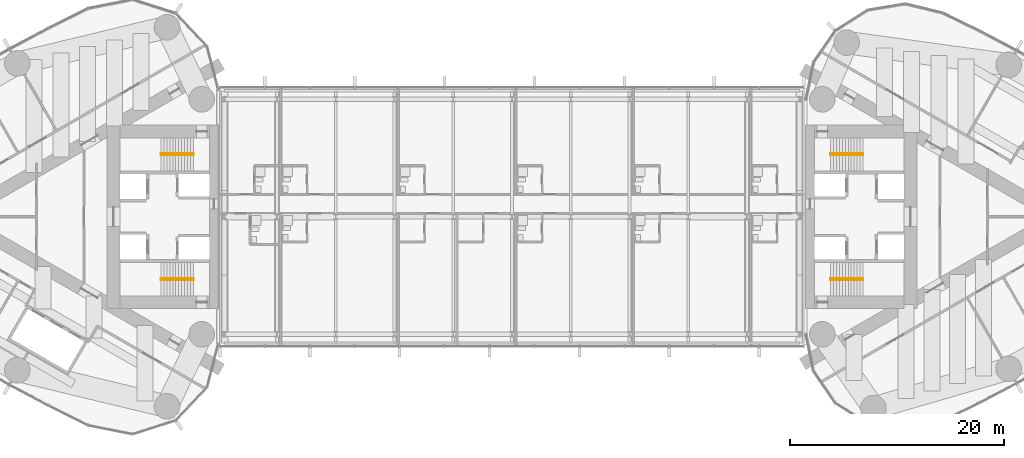
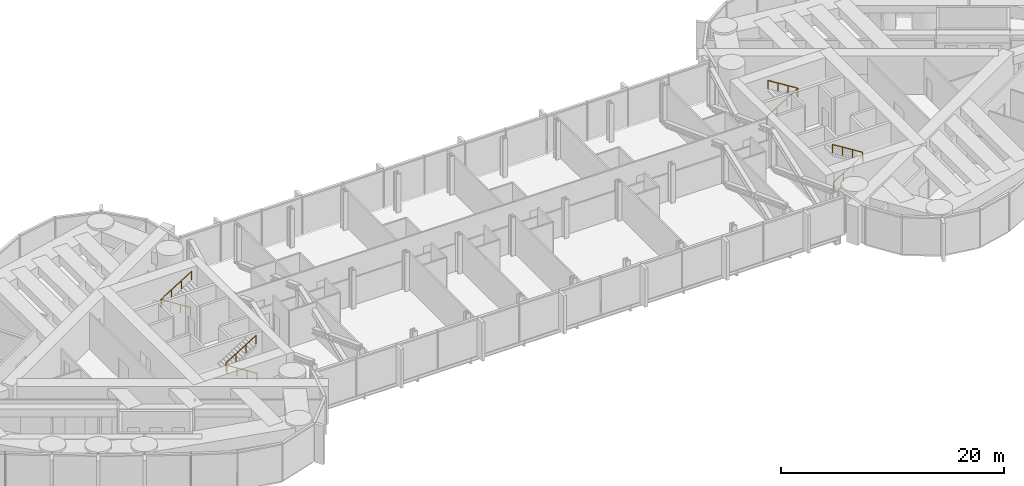
# One storey, part 22 of 23: 8 railings.
"""IFC4 building model written with IfcOpenShell, lengths in metres."""

from ifc_helpers import new_model, si_unit, direction, frame, origin, origin_2d, place, context, subcontext, project, spatial, circle, extrude, material, type_object, element, save


model = new_model("IFC4")

# Units and contexts
model_context = context("Model", 3, precision=1e-05, world=origin(), true_north=direction((0.0, 1.0)))
body_context = subcontext(model_context, "Body", "Model", "MODEL_VIEW")
ifc_project = project(units=[si_unit("LENGTHUNIT", "METRE"), si_unit("AREAUNIT", "SQUARE_METRE"), si_unit("VOLUMEUNIT", "CUBIC_METRE"), si_unit("PLANEANGLEUNIT", "RADIAN"), si_unit("MASSUNIT", "GRAM", prefix="KILO")], contexts=[model_context])

# Site, building, storey
site_placement = place(None, origin())
site = spatial("IfcSite", under=ifc_project, at=site_placement, CompositionType="ELEMENT")
building_placement = place(site_placement, origin())
building = spatial("IfcBuilding", under=site, at=building_placement, Name="Lancet Gate Hotel", CompositionType="ELEMENT")
storey_placement = place(building_placement, frame((0.0, 0.0, 247.699951171875)))
storey = spatial("IfcBuildingStorey", under=building, at=storey_placement, Name="L66", CompositionType="ELEMENT", Elevation=247.699951171875)

# Railings
ifc_material = material(Name="Stainless steel handrail", Category="steel")
railing_type = type_object("IfcRailingType", Name="Stair handrail 900", PredefinedType="HANDRAIL", material=ifc_material)
railing_1_placement = place(storey_placement, frame((-29.800048828125, 5.929931640625, 0.175048828125)))
element("IfcRailing", 1, at=railing_1_placement, inside=storey, type_object=railing_type, Name="ST1 handrail flight 1 L66", PredefinedType="HANDRAIL", context=body_context, shape_type="SweptSolid", body=[
    extrude(circle(Radius=0.02392578125, at=origin_2d()), frame((0.0, 0.0, 0.8759765625), z_axis=(-0.847979421464, 0.0, 0.530029150871), x_axis=(0.0, -1.0, 0.0)), (0.0, 0.0, 1.0), 3.632080078125),
    extrude(circle(Radius=0.02099609375, at=origin_2d()), origin(), (0.0, 0.0, 1.0), 0.851806640625),
    extrude(circle(Radius=0.02099609375, at=origin_2d()), frame((-1.026611328125, 0.0, 0.6416015625)), (0.0, 0.0, 1.0), 0.851806640625),
    extrude(circle(Radius=0.02099609375, at=origin_2d()), frame((-2.05322265625, 0.0, 1.283447265625)), (0.0, 0.0, 1.0), 0.851806640625),
    extrude(circle(Radius=0.02099609375, at=origin_2d()), frame((-3.079833984375, 0.0, 1.925048828125)), (0.0, 0.0, 1.0), 0.851806640625),
])
railing_2_placement = place(storey_placement, frame((-32.8798828125, 5.77001953125, 2.275146484375)))
element("IfcRailing", 2, at=railing_2_placement, inside=storey, type_object=railing_type, Name="ST1 handrail flight 2 L66", PredefinedType="HANDRAIL", context=body_context, shape_type="SweptSolid", body=[
    extrude(circle(Radius=0.02392578125, at=origin_2d()), frame((0.0, 0.0, 0.8759765625), z_axis=(0.848009633417, 0.0, 0.529980812513), x_axis=(0.0, 1.0, 0.0)), (0.0, 0.0, 1.0), 3.6318359375),
    extrude(circle(Radius=0.02099609375, at=origin_2d()), origin(), (0.0, 0.0, 1.0), 0.851806640625),
    extrude(circle(Radius=0.02099609375, at=origin_2d()), frame((1.026611328125, 0.0, 0.6416015625)), (0.0, 0.0, 1.0), 0.851806640625),
    extrude(circle(Radius=0.02099609375, at=origin_2d()), frame((2.05322265625, 0.0, 1.283203125)), (0.0, 0.0, 1.0), 0.851806640625),
    extrude(circle(Radius=0.02099609375, at=origin_2d()), frame((3.079833984375, 0.0, 1.9248046875)), (0.0, 0.0, 1.0), 0.851806640625),
])
railing_3_placement = place(storey_placement, frame((-29.800048828125, -5.929931640625, 0.175048828125)))
element("IfcRailing", 3, at=railing_3_placement, inside=storey, type_object=railing_type, Name="ST2 handrail flight 1 L66", PredefinedType="HANDRAIL", context=body_context, shape_type="SweptSolid", body=[
    extrude(circle(Radius=0.02392578125, at=origin_2d()), frame((0.0, 0.0, 0.8759765625), z_axis=(-0.847979421464, 0.0, 0.530029150871), x_axis=(0.0, -1.0, 0.0)), (0.0, 0.0, 1.0), 3.632080078125),
    extrude(circle(Radius=0.02099609375, at=origin_2d()), origin(), (0.0, 0.0, 1.0), 0.851806640625),
    extrude(circle(Radius=0.02099609375, at=origin_2d()), frame((-1.026611328125, 0.0, 0.6416015625)), (0.0, 0.0, 1.0), 0.851806640625),
    extrude(circle(Radius=0.02099609375, at=origin_2d()), frame((-2.05322265625, 0.0, 1.283447265625)), (0.0, 0.0, 1.0), 0.851806640625),
    extrude(circle(Radius=0.02099609375, at=origin_2d()), frame((-3.079833984375, 0.0, 1.925048828125)), (0.0, 0.0, 1.0), 0.851806640625),
])
railing_4_placement = place(storey_placement, frame((-32.8798828125, -5.77001953125, 2.275146484375)))
element("IfcRailing", 4, at=railing_4_placement, inside=storey, type_object=railing_type, Name="ST2 handrail flight 2 L66", PredefinedType="HANDRAIL", context=body_context, shape_type="SweptSolid", body=[
    extrude(circle(Radius=0.02392578125, at=origin_2d()), frame((0.0, 0.0, 0.8759765625), z_axis=(0.848009633417, 0.0, 0.529980812513), x_axis=(0.0, 1.0, 0.0)), (0.0, 0.0, 1.0), 3.6318359375),
    extrude(circle(Radius=0.02099609375, at=origin_2d()), origin(), (0.0, 0.0, 1.0), 0.851806640625),
    extrude(circle(Radius=0.02099609375, at=origin_2d()), frame((1.026611328125, 0.0, 0.6416015625)), (0.0, 0.0, 1.0), 0.851806640625),
    extrude(circle(Radius=0.02099609375, at=origin_2d()), frame((2.05322265625, 0.0, 1.283203125)), (0.0, 0.0, 1.0), 0.851806640625),
    extrude(circle(Radius=0.02099609375, at=origin_2d()), frame((3.079833984375, 0.0, 1.9248046875)), (0.0, 0.0, 1.0), 0.851806640625),
])
railing_5_placement = place(storey_placement, frame((29.800048828125, -5.929931640625, 0.175048828125)))
element("IfcRailing", 5, at=railing_5_placement, inside=storey, type_object=railing_type, Name="ST3 handrail flight 1 L66", PredefinedType="HANDRAIL", context=body_context, shape_type="SweptSolid", body=[
    extrude(circle(Radius=0.02392578125, at=origin_2d()), frame((0.0, 0.0, 0.8759765625), z_axis=(0.847979421464, 0.0, 0.530029150871), x_axis=(0.0, 1.0, 0.0)), (0.0, 0.0, 1.0), 3.632080078125),
    extrude(circle(Radius=0.02099609375, at=origin_2d()), origin(), (0.0, 0.0, 1.0), 0.851806640625),
    extrude(circle(Radius=0.02099609375, at=origin_2d()), frame((1.026611328125, 0.0, 0.6416015625)), (0.0, 0.0, 1.0), 0.851806640625),
    extrude(circle(Radius=0.02099609375, at=origin_2d()), frame((2.05322265625, 0.0, 1.283447265625)), (0.0, 0.0, 1.0), 0.851806640625),
    extrude(circle(Radius=0.02099609375, at=origin_2d()), frame((3.079833984375, 0.0, 1.925048828125)), (0.0, 0.0, 1.0), 0.851806640625),
])
railing_6_placement = place(storey_placement, frame((32.8798828125, -5.77001953125, 2.275146484375)))
element("IfcRailing", 6, at=railing_6_placement, inside=storey, type_object=railing_type, Name="ST3 handrail flight 2 L66", PredefinedType="HANDRAIL", context=body_context, shape_type="SweptSolid", body=[
    extrude(circle(Radius=0.02392578125, at=origin_2d()), frame((0.0, 0.0, 0.8759765625), z_axis=(-0.848009633417, 0.0, 0.529980812513), x_axis=(0.0, -1.0, 0.0)), (0.0, 0.0, 1.0), 3.6318359375),
    extrude(circle(Radius=0.02099609375, at=origin_2d()), origin(), (0.0, 0.0, 1.0), 0.851806640625),
    extrude(circle(Radius=0.02099609375, at=origin_2d()), frame((-1.026611328125, 0.0, 0.6416015625)), (0.0, 0.0, 1.0), 0.851806640625),
    extrude(circle(Radius=0.02099609375, at=origin_2d()), frame((-2.05322265625, 0.0, 1.283203125)), (0.0, 0.0, 1.0), 0.851806640625),
    extrude(circle(Radius=0.02099609375, at=origin_2d()), frame((-3.079833984375, 0.0, 1.9248046875)), (0.0, 0.0, 1.0), 0.851806640625),
])
railing_7_placement = place(storey_placement, frame((29.800048828125, 5.929931640625, 0.175048828125)))
element("IfcRailing", 7, at=railing_7_placement, inside=storey, type_object=railing_type, Name="ST4 handrail flight 1 L66", PredefinedType="HANDRAIL", context=body_context, shape_type="SweptSolid", body=[
    extrude(circle(Radius=0.02392578125, at=origin_2d()), frame((0.0, 0.0, 0.8759765625), z_axis=(0.847979421464, 0.0, 0.530029150871), x_axis=(0.0, 1.0, 0.0)), (0.0, 0.0, 1.0), 3.632080078125),
    extrude(circle(Radius=0.02099609375, at=origin_2d()), origin(), (0.0, 0.0, 1.0), 0.851806640625),
    extrude(circle(Radius=0.02099609375, at=origin_2d()), frame((1.026611328125, 0.0, 0.6416015625)), (0.0, 0.0, 1.0), 0.851806640625),
    extrude(circle(Radius=0.02099609375, at=origin_2d()), frame((2.05322265625, 0.0, 1.283447265625)), (0.0, 0.0, 1.0), 0.851806640625),
    extrude(circle(Radius=0.02099609375, at=origin_2d()), frame((3.079833984375, 0.0, 1.925048828125)), (0.0, 0.0, 1.0), 0.851806640625),
])
railing_8_placement = place(storey_placement, frame((32.8798828125, 5.77001953125, 2.275146484375)))
element("IfcRailing", 8, at=railing_8_placement, inside=storey, type_object=railing_type, Name="ST4 handrail flight 2 L66", PredefinedType="HANDRAIL", context=body_context, shape_type="SweptSolid", body=[
    extrude(circle(Radius=0.02392578125, at=origin_2d()), frame((0.0, 0.0, 0.8759765625), z_axis=(-0.848009633417, 0.0, 0.529980812513), x_axis=(0.0, -1.0, 0.0)), (0.0, 0.0, 1.0), 3.6318359375),
    extrude(circle(Radius=0.02099609375, at=origin_2d()), origin(), (0.0, 0.0, 1.0), 0.851806640625),
    extrude(circle(Radius=0.02099609375, at=origin_2d()), frame((-1.026611328125, 0.0, 0.6416015625)), (0.0, 0.0, 1.0), 0.851806640625),
    extrude(circle(Radius=0.02099609375, at=origin_2d()), frame((-2.05322265625, 0.0, 1.283203125)), (0.0, 0.0, 1.0), 0.851806640625),
    extrude(circle(Radius=0.02099609375, at=origin_2d()), frame((-3.079833984375, 0.0, 1.9248046875)), (0.0, 0.0, 1.0), 0.851806640625),
])

save(model, "model.ifc")
